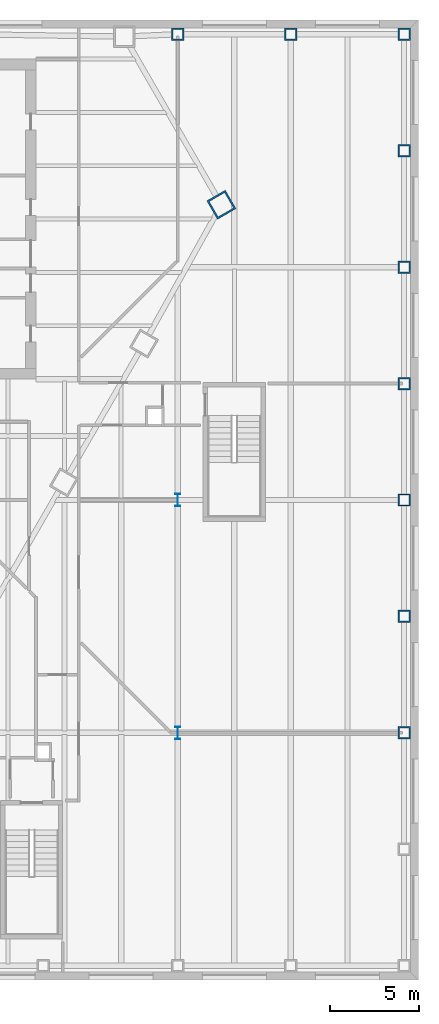
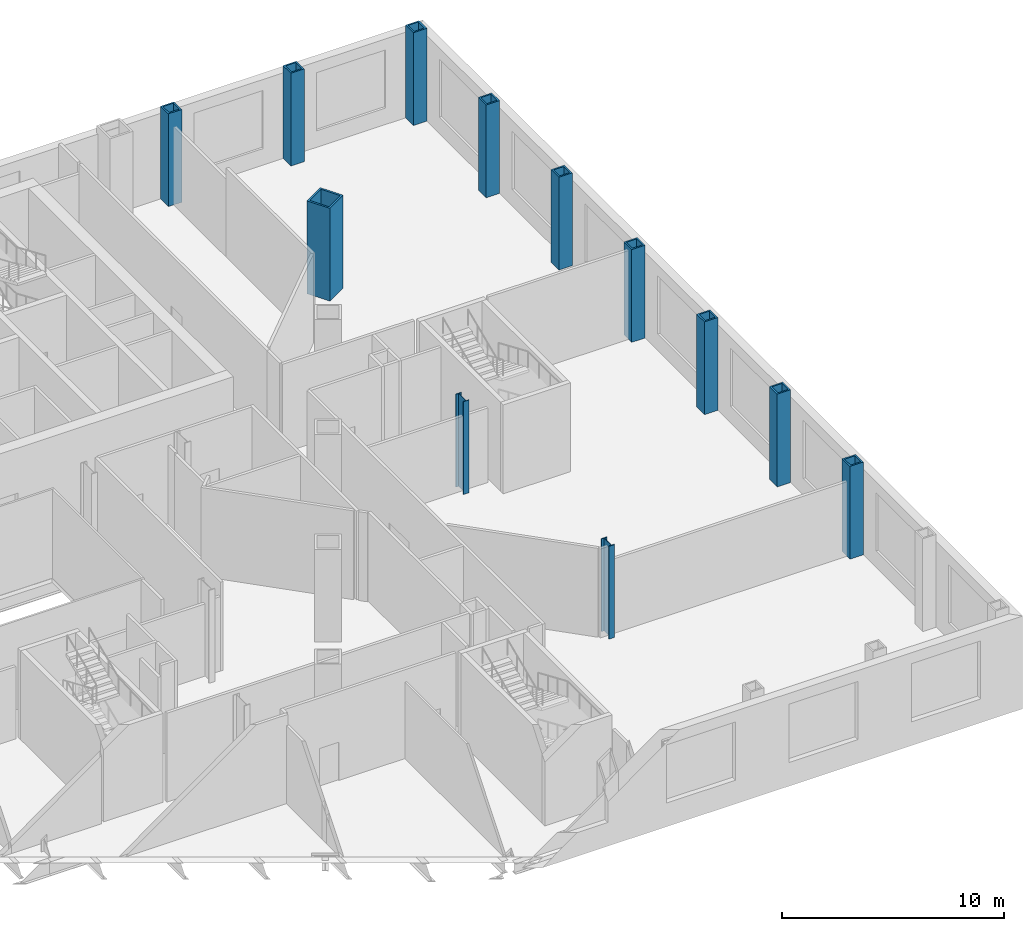
# One storey, part 3 of 21: 12 columns.
"""IFC4 building model written with IfcOpenShell, lengths in metres."""

import ifcopenshell
import ifcopenshell.guid

model = None  # the IFC model being written
_history = None  # IfcOwnerHistory: only IFC2X3 demands one
_inside = {}  # id of a spatial element -> (the spatial element, [elements in it])
_under = {}  # id of a project, library or spatial element -> (it, [spatial elements below it])
_declared = {}  # id of a project -> (the project, [libraries it declares])
_typed = {}  # id of a type object -> (the type object, [elements of that type])
_made_of = {}  # id of a material, layer set ... -> (it, [elements and type objects made of it])


def new_model(schema):
    """Start an empty IFC model of exactly this schema.

    Asked for "IFC4X3", IfcOpenShell would pick the latest addendum, in which some entities
    have other attributes; the version numbers below select the first issue.
    IFC2X3 requires an IfcOwnerHistory on every rooted entity: one is made here for all.
    """
    global model, _history
    if schema == "IFC4X3":
        model = ifcopenshell.file(schema_version=(4, 3, 0, 0))
    else:
        model = ifcopenshell.file(schema=schema)
    _inside.clear()
    _under.clear()
    _declared.clear()
    _typed.clear()
    _made_of.clear()
    _history = None
    if model.schema == "IFC2X3":
        org = make("IfcOrganization", Name="unknown")
        user = make(
            "IfcPersonAndOrganization",
            ThePerson=make("IfcPerson", FamilyName="unknown"),
            TheOrganization=org,
        )
        app = make(
            "IfcApplication",
            ApplicationDeveloper=org,
            Version="unknown",
            ApplicationFullName="unknown",
            ApplicationIdentifier="unknown",
        )
        _history = make(
            "IfcOwnerHistory",
            OwningUser=user,
            OwningApplication=app,
            ChangeAction="ADDED",
            CreationDate=0,
        )
    return model


def make(cls, **values):
    """One entity of the class cls with the attributes given. An attribute that is None is left unset."""
    return model.create_entity(
        cls, **{name: value for name, value in values.items() if value is not None}
    )


def rooted(cls, **values):
    """An entity with a GlobalId (a new one), such as an element, a storey or a relation."""
    return make(cls, GlobalId=ifcopenshell.guid.new(), OwnerHistory=_history, **values)


def si_unit(unit_type, name, prefix=None):
    """IfcSIUnit, for example si_unit("LENGTHUNIT", "METRE", prefix="MILLI")."""
    return make("IfcSIUnit", UnitType=unit_type, Prefix=prefix, Name=name)


def assignment(units):
    """IfcUnitAssignment: the units of a project."""
    return None if units is None else make("IfcUnitAssignment", Units=units)


def point(xyz):
    """IfcCartesianPoint."""
    return None if xyz is None else make("IfcCartesianPoint", Coordinates=xyz)


def direction(xyz):
    """IfcDirection."""
    return None if xyz is None else make("IfcDirection", DirectionRatios=xyz)


def frame(location, z_axis=None, x_axis=None):
    """IfcAxis2Placement3D, a coordinate frame: its origin and axes. An axis left out is left unset."""
    return make(
        "IfcAxis2Placement3D",
        Location=point(location),
        Axis=direction(z_axis),
        RefDirection=direction(x_axis),
    )


def frame_2d(location, x_axis=None):
    """IfcAxis2Placement2D, a coordinate frame in the plane: its origin and x axis."""
    return make(
        "IfcAxis2Placement2D", Location=point(location), RefDirection=direction(x_axis)
    )


def origin():
    """The frame at (0, 0, 0) with its axes left unset."""
    return frame((0.0, 0.0, 0.0))


def origin_2d():
    """The frame at (0, 0) in the plane with its x axis left unset."""
    return frame_2d((0.0, 0.0))


def place(relative_to, where):
    """IfcLocalPlacement: puts the frame where relative to a parent placement (None: the world)."""
    return make(
        "IfcLocalPlacement", PlacementRelTo=relative_to, RelativePlacement=where
    )


def context(
    kind, dimensions, precision=None, world=None, true_north=None, identifier=None
):
    """IfcGeometricRepresentationContext, for example the 3D "Model" context."""
    return make(
        "IfcGeometricRepresentationContext",
        ContextIdentifier=identifier,
        ContextType=kind,
        CoordinateSpaceDimension=dimensions,
        Precision=precision,
        WorldCoordinateSystem=world,
        TrueNorth=true_north,
    )


def subcontext(parent, identifier, kind, view, scale=None):
    """IfcGeometricRepresentationSubContext, for example "Body" below "Model"."""
    return make(
        "IfcGeometricRepresentationSubContext",
        ContextIdentifier=identifier,
        ContextType=kind,
        ParentContext=parent,
        TargetScale=scale,
        TargetView=view,
    )


def project(units=None, contexts=None):
    """IfcProject with its units and contexts."""
    return rooted(
        "IfcProject",
        Name="project",
        RepresentationContexts=contexts,
        UnitsInContext=assignment(units),
    )


def spatial(cls, under=None, at=None, **own):
    """A site, building, storey or space (cls), placed at a placement, below another one or the project."""
    s = rooted(cls, ObjectPlacement=at, **own)
    if under is not None:
        _under.setdefault(under.id(), (under, []))[1].append(s)
    return s


def profile(cls, at=None, kind="AREA", **sizes):
    """A parametric profile (cls). Its sizes go by their IFC names, for example OverallWidth=200.0."""
    return make(cls, ProfileType=kind, Position=at, **sizes)


def hollow_rectangle(**sizes):
    """IfcRectangleHollowProfileDef."""
    return profile("IfcRectangleHollowProfileDef", **sizes)


def i_section(**sizes):
    """IfcIShapeProfileDef."""
    return profile("IfcIShapeProfileDef", **sizes)


def extrude(swept, where, along, depth):
    """IfcExtrudedAreaSolid: the profile swept, set in the frame where, extruded along a direction by depth."""
    return make(
        "IfcExtrudedAreaSolid",
        SweptArea=swept,
        Position=where,
        ExtrudedDirection=direction(along),
        Depth=depth,
    )


def shape(context_of_items, identifier, shape_type, items):
    """IfcShapeRepresentation: the items that make up one representation, for example the "Body"."""
    return make(
        "IfcShapeRepresentation",
        ContextOfItems=context_of_items,
        RepresentationIdentifier=identifier,
        RepresentationType=shape_type,
        Items=items,
    )


def material(Name=None, Category=None):
    """IfcMaterial."""
    return make("IfcMaterial", Name=Name, Category=Category)


def material_profile(
    of_material, cross_section, Name=None, Category=None, Priority=None
):
    """IfcMaterialProfile: a cross section and its material."""
    return make(
        "IfcMaterialProfile",
        Name=Name,
        Material=of_material,
        Profile=cross_section,
        Priority=Priority,
        Category=Category,
    )


def profile_set(profiles, Name=None, composite=None):
    """IfcMaterialProfileSet."""
    return make(
        "IfcMaterialProfileSet",
        Name=Name,
        MaterialProfiles=profiles,
        CompositeProfile=composite,
    )


def made_of(thing, what):
    """Note that an element or type object is made of a material, layer set ...; save() writes the relation."""
    if what is not None:
        _made_of.setdefault(what.id(), (what, []))[1].append(thing)
    return thing


def type_object(cls, material=None, **own):
    """A type object (cls), such as IfcWallType, which elements share."""
    return made_of(rooted(cls, **own), material)


def element(
    cls,
    number,
    at=None,
    inside=None,
    cuts=None,
    type_object=None,
    material=None,
    context=None,
    identifier="Body",
    shape_type=None,
    held_by="IfcProductDefinitionShape",
    body=None,
    shapes=None,
    **own,
):
    """One element of the class cls, such as IfcWall. Its Tag is "e" and its number.

    at: its placement. inside: the storey or other place that contains it. cuts: it is an
    opening in that element (IfcRelVoidsElement). A single representation is given by context,
    identifier, shape_type and body (its items); several are given by shapes. held_by: the class
    of the entity that holds the representations. save() writes the other relations.
    """
    e = rooted(cls, Tag="e%d" % number, ObjectPlacement=at, **own)
    if body is not None:
        shapes = [shape(context, identifier, shape_type, body)]
    if shapes is not None:
        e.Representation = make(held_by, Representations=shapes)
    if inside is not None:
        _inside.setdefault(inside.id(), (inside, []))[1].append(e)
    if cuts is not None:
        rooted(
            "IfcRelVoidsElement", RelatingBuildingElement=cuts, RelatedOpeningElement=e
        )
    if type_object is not None:
        _typed.setdefault(type_object.id(), (type_object, []))[1].append(e)
    return made_of(e, material)


def aggregate(whole, parts):
    """IfcRelAggregates: a whole, such as a stair, and the parts it consists of."""
    return rooted("IfcRelAggregates", RelatingObject=whole, RelatedObjects=parts)


def save(model, path):
    """Write the relations noted so far, then the file.

    IfcRelAggregates (storeys below a building ...), IfcRelContainedInSpatialStructure (elements
    in a storey), IfcRelDefinesByType, IfcRelAssociatesMaterial and IfcRelDeclares: one each for
    every whole, place, type object, material and project.
    """
    for whole, parts in _under.values():
        aggregate(whole, parts)
    for where, things in _inside.values():
        rooted(
            "IfcRelContainedInSpatialStructure",
            RelatedElements=things,
            RelatingStructure=where,
        )
    for kind, things in _typed.values():
        rooted("IfcRelDefinesByType", RelatedObjects=things, RelatingType=kind)
    for what, things in _made_of.values():
        rooted("IfcRelAssociatesMaterial", RelatedObjects=things, RelatingMaterial=what)
    for by, libraries in _declared.values():
        rooted("IfcRelDeclares", RelatingContext=by, RelatedDefinitions=libraries)
    model.write(path)


model = new_model("IFC4")

# Units and contexts
model_context = context("Model", 3, precision=1e-05, world=origin(), true_north=direction((0.0, 1.0)))
body_context = subcontext(model_context, "Body", "Model", "MODEL_VIEW")
ifc_project = project(units=[si_unit("LENGTHUNIT", "METRE"), si_unit("AREAUNIT", "SQUARE_METRE"), si_unit("VOLUMEUNIT", "CUBIC_METRE"), si_unit("PLANEANGLEUNIT", "RADIAN"), si_unit("MASSUNIT", "GRAM", prefix="KILO")], contexts=[model_context])

# Site, building, storey
site_placement = place(None, origin())
site = spatial("IfcSite", under=ifc_project, at=site_placement, CompositionType="ELEMENT")
building_placement = place(site_placement, origin())
building = spatial("IfcBuilding", under=site, at=building_placement, Name="Njiva Tower", CompositionType="ELEMENT")
storey_placement = place(building_placement, frame((0.0, 0.0, 13.5)))
storey = spatial("IfcBuildingStorey", under=building, at=storey_placement, Name="L02", CompositionType="ELEMENT", Elevation=13.5)

# Columns
ifc_material = material(Name="Steel S355 J2", Category="steel")
ifc_material_profile_1 = material_profile(ifc_material, hollow_rectangle(XDim=1.2, YDim=1.2, WallThickness=0.1, at=origin_2d()), Name="BOX 1200x1200x100")
ifc_profile_set_1 = profile_set([ifc_material_profile_1], Name="Steel S355 J2")
column_type_1 = type_object("IfcColumnType", Name="C1 Mega-column BOX 1200x1200x100", PredefinedType="COLUMN", material=ifc_profile_set_1)
column_placement = place(storey_placement, frame((27.923, 9.808, 0.0), z_axis=(0.0, 0.0, 1.0), x_axis=(-0.5, 0.866025403784, 0.0)))
element("IfcColumn", 1, at=column_placement, inside=storey, type_object=column_type_1, Name="Mega-column L02-C18", PredefinedType="COLUMN", context=body_context, shape_type="SweptSolid", body=[
    extrude(hollow_rectangle(XDim=1.2, YDim=1.2, WallThickness=0.1, at=origin_2d()), origin(), (0.0, 0.0, 1.0), 5.1),
])
ifc_material_profile_2 = material_profile(ifc_material, hollow_rectangle(XDim=0.7, YDim=0.7, WallThickness=0.08, at=origin_2d()), Name="BOX 700x700x80")
ifc_profile_set_2 = profile_set([ifc_material_profile_2], Name="Steel S355 J2")
column_type_2 = type_object("IfcColumnType", Name="C3 Podium perimeter column BOX 700x700x80", PredefinedType="COLUMN", material=ifc_profile_set_2)
for number, where, z_axis, x_axis, name in (
    (2, (38.2, -19.9, 0.0), (0.0, 0.0, 1.0), (0.0, 1.0, 0.0), "Podium perimeter column L02-C29"),
    (3, (38.2, -13.35, 0.0), (0.0, 0.0, 1.0), (0.0, 1.0, 0.0), "Podium perimeter column L02-C30"),
    (4, (38.2, -6.8, 0.0), (0.0, 0.0, 1.0), (0.0, 1.0, 0.0), "Podium perimeter column L02-C31"),
    (5, (38.2, -0.25, 0.0), (0.0, 0.0, 1.0), (0.0, 1.0, 0.0), "Podium perimeter column L02-C32"),
    (6, (38.2, 6.3, 0.0), (0.0, 0.0, 1.0), (0.0, 1.0, 0.0), "Podium perimeter column L02-C33"),
    (7, (38.2, 12.85, 0.0), (0.0, 0.0, 1.0), (0.0, 1.0, 0.0), "Podium perimeter column L02-C34"),
    (8, (38.2, 19.4, 0.0), (0.0, 0.0, 1.0), (-1.0, 0.0, 0.0), "Podium perimeter column L02-C35"),
    (9, (31.833, 19.4, 0.0), (0.0, 0.0, 1.0), (-1.0, 0.0, 0.0), "Podium perimeter column L02-C36"),
    (10, (25.467, 19.4, 0.0), (0.0, 0.0, 1.0), (-1.0, 0.0, 0.0), "Podium perimeter column L02-C37"),
):
    element("IfcColumn", number, at=place(storey_placement, frame(where, z_axis=z_axis, x_axis=x_axis)), inside=storey, type_object=column_type_2, Name=name, PredefinedType="COLUMN", context=body_context, shape_type="SweptSolid", body=[
        extrude(hollow_rectangle(XDim=0.7, YDim=0.7, WallThickness=0.08, at=origin_2d()), origin(), (0.0, 0.0, 1.0), 5.1),
    ])
ifc_material_profile_3 = material_profile(ifc_material, i_section(OverallWidth=0.304, OverallDepth=0.716, WebThickness=0.021, FlangeThickness=0.04, at=origin_2d()), Name="HEM 700")
ifc_profile_set_3 = profile_set([ifc_material_profile_3], Name="Steel S355 J2")
column_type_3 = type_object("IfcColumnType", Name="C4 Station column HEM 700", PredefinedType="COLUMN", material=ifc_profile_set_3)
for number, where, z_axis, x_axis, name in (
    (11, (25.467, -6.8, 0.0), (0.0, 0.0, 1.0), (1.0, 0.0, 0.0), "Station column L02-C64"),
    (12, (25.467, -19.9, 0.0), (0.0, 0.0, 1.0), (1.0, 0.0, 0.0), "Station column L02-C65"),
):
    element("IfcColumn", number, at=place(storey_placement, frame(where, z_axis=z_axis, x_axis=x_axis)), inside=storey, type_object=column_type_3, Name=name, PredefinedType="COLUMN", context=body_context, shape_type="SweptSolid", body=[
        extrude(i_section(OverallWidth=0.304, OverallDepth=0.716, WebThickness=0.021, FlangeThickness=0.04, at=origin_2d()), origin(), (0.0, 0.0, 1.0), 5.1),
    ])

save(model, "model.ifc")
